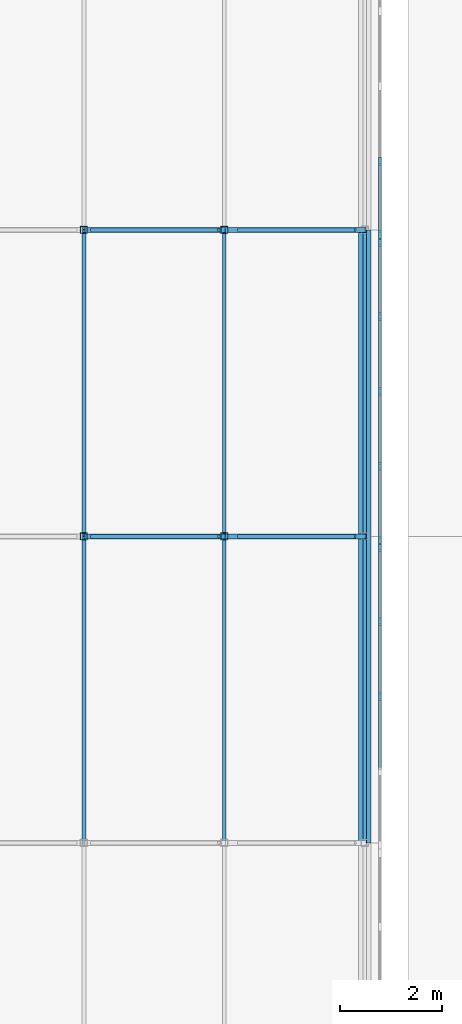
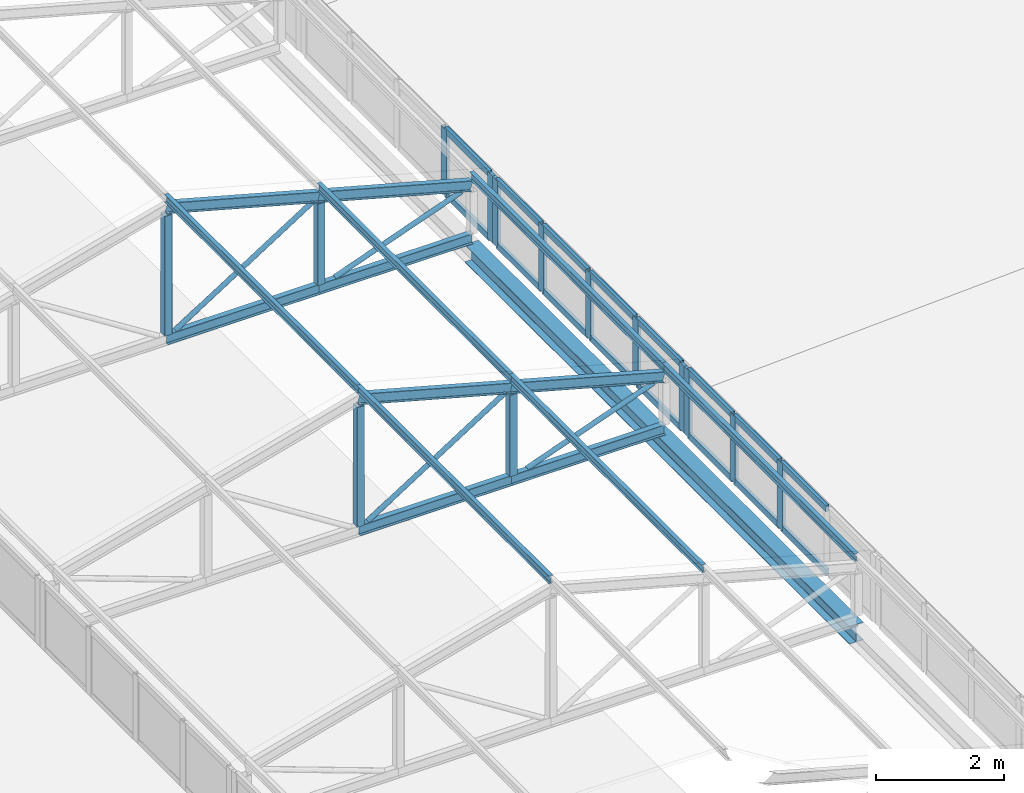
# One storey, part 44 of 94: 48 members, 1 beam, 3 elements without a shape of their own.
"""IFC4 building model written with IfcOpenShell, lengths in metres."""

from ifc_helpers import new_model, si_unit, direction, frame, origin, origin_2d, place, context, subcontext, project, spatial, rectangle, hollow_rectangle, hollow_circle, i_section, extrude, material, layer, layer_set, material_profile, profile_set, type_object, element, aggregate, save


model = new_model("IFC4")

# Units and contexts
model_context = context("Model", 3, precision=1e-05, world=origin(), true_north=direction((0.0, 1.0)))
body_context = subcontext(model_context, "Body", "Model", "MODEL_VIEW")
ifc_project = project(units=[si_unit("LENGTHUNIT", "METRE"), si_unit("AREAUNIT", "SQUARE_METRE"), si_unit("VOLUMEUNIT", "CUBIC_METRE"), si_unit("PLANEANGLEUNIT", "RADIAN"), si_unit("MASSUNIT", "GRAM", prefix="KILO")], contexts=[model_context])

# Site, building, storey
site_placement = place(None, origin())
site = spatial("IfcSite", under=ifc_project, at=site_placement, CompositionType="ELEMENT")
building_placement = place(site_placement, origin())
building = spatial("IfcBuilding", under=site, at=building_placement, Name="Lilac Gate Convention Centre", CompositionType="ELEMENT")
storey_placement = place(building_placement, frame((0.0, 0.0, 21.0)))
storey = spatial("IfcBuildingStorey", under=building, at=storey_placement, Name="L04", CompositionType="ELEMENT", Elevation=21.0)

# Curtain wall, members
ifc_material_1 = material(Name="Aluminium framed double glazing", Category="aluminium")
ifc_layer = layer(ifc_material_1, 0.199951171875)
ifc_layer_set = layer_set([ifc_layer], Name="Aluminium framed double glazing")
curtain_wall_type = type_object("IfcCurtainWallType", Name="Unitised curtain wall 1500", PredefinedType="NOTDEFINED", material=ifc_layer_set)
curtain_wall_1_placement = place(storey_placement, origin())
curtain_wall_1 = element("IfcCurtainWall", 1, at=curtain_wall_1_placement, inside=storey, type_object=curtain_wall_type, Name="Lantern clerestory E 22", PredefinedType="NOTDEFINED")
ifc_material_2 = material(Name="Aluminium alloy 6063", Category="aluminium")
ifc_material_profile_1 = material_profile(ifc_material_2, rectangle(XDim=0.06005859375, YDim=0.159912109375, at=origin_2d()), Name="Curtain wall mullion 60 x 160")
ifc_profile_set_1 = profile_set([ifc_material_profile_1], Name="Aluminium alloy 6063")
member_type_1 = type_object("IfcMemberType", Name="Curtain wall mullion 60 x 160", PredefinedType="MULLION", material=ifc_profile_set_1)
member_1_placement = place(storey_placement, frame((28.89990234375, 158.862548828125, 0.0), z_axis=(0.0, 0.0, 1.0), x_axis=(-1.0, 0.0, 0.0)))
member_1 = element("IfcMember", 2, at=member_1_placement, type_object=member_type_1, Name="CW mullion 3", PredefinedType="MULLION", context=body_context, shape_type="SweptSolid", body=[
    extrude(rectangle(XDim=0.06005859375, YDim=0.159912109375, at=origin_2d()), origin(), (0.0, 0.0, 1.0), 1.272216796875),
])
member_2_placement = place(storey_placement, frame((28.89990234375, 160.331298828125, 0.0), z_axis=(0.0, 0.0, 1.0), x_axis=(-1.0, 0.0, 0.0)))
member_2 = element("IfcMember", 3, at=member_2_placement, type_object=member_type_1, Name="CW mullion 4", PredefinedType="MULLION", context=body_context, shape_type="SweptSolid", body=[
    extrude(rectangle(XDim=0.06005859375, YDim=0.159912109375, at=origin_2d()), origin(), (0.0, 0.0, 1.0), 1.272216796875),
])
member_3_placement = place(storey_placement, frame((28.89990234375, 161.77001953125, 0.0), z_axis=(0.0, 0.0, 1.0), x_axis=(-1.0, 0.0, 0.0)))
member_3 = element("IfcMember", 4, at=member_3_placement, type_object=member_type_1, Name="CW mullion 5", PredefinedType="MULLION", context=body_context, shape_type="SweptSolid", body=[
    extrude(rectangle(XDim=0.06005859375, YDim=0.159912109375, at=origin_2d()), origin(), (0.0, 0.0, 1.0), 1.272216796875),
])

curtain_wall_2_placement = place(storey_placement, origin())
curtain_wall_2 = element("IfcCurtainWall", 5, at=curtain_wall_2_placement, inside=storey, type_object=curtain_wall_type, Name="Lantern clerestory E 23", PredefinedType="NOTDEFINED")
member_4_placement = place(storey_placement, frame((28.89990234375, 161.929931640625, 0.0), z_axis=(0.0, 0.0, 1.0), x_axis=(-1.0, 0.0, 0.0)))
member_4 = element("IfcMember", 6, at=member_4_placement, type_object=member_type_1, Name="CW mullion 1", PredefinedType="MULLION", context=body_context, shape_type="SweptSolid", body=[
    extrude(rectangle(XDim=0.06005859375, YDim=0.159912109375, at=origin_2d()), origin(), (0.0, 0.0, 1.0), 1.272216796875),
])
member_5_placement = place(storey_placement, frame((28.89990234375, 163.36865234375, 0.0), z_axis=(0.0, 0.0, 1.0), x_axis=(-1.0, 0.0, 0.0)))
member_5 = element("IfcMember", 7, at=member_5_placement, type_object=member_type_1, Name="CW mullion 2", PredefinedType="MULLION", context=body_context, shape_type="SweptSolid", body=[
    extrude(rectangle(XDim=0.06005859375, YDim=0.159912109375, at=origin_2d()), origin(), (0.0, 0.0, 1.0), 1.272216796875),
])
member_6_placement = place(storey_placement, frame((28.89990234375, 164.83740234375, 0.0), z_axis=(0.0, 0.0, 1.0), x_axis=(-1.0, 0.0, 0.0)))
member_6 = element("IfcMember", 8, at=member_6_placement, type_object=member_type_1, Name="CW mullion 3", PredefinedType="MULLION", context=body_context, shape_type="SweptSolid", body=[
    extrude(rectangle(XDim=0.06005859375, YDim=0.159912109375, at=origin_2d()), origin(), (0.0, 0.0, 1.0), 1.272216796875),
])
member_7_placement = place(storey_placement, frame((28.89990234375, 166.30615234375, 0.0), z_axis=(0.0, 0.0, 1.0), x_axis=(-1.0, 0.0, 0.0)))
member_7 = element("IfcMember", 9, at=member_7_placement, type_object=member_type_1, Name="CW mullion 4", PredefinedType="MULLION", context=body_context, shape_type="SweptSolid", body=[
    extrude(rectangle(XDim=0.06005859375, YDim=0.159912109375, at=origin_2d()), origin(), (0.0, 0.0, 1.0), 1.272216796875),
])
member_8_placement = place(storey_placement, frame((28.89990234375, 167.744873046875, 0.0), z_axis=(0.0, 0.0, 1.0), x_axis=(-1.0, 0.0, 0.0)))
member_8 = element("IfcMember", 10, at=member_8_placement, type_object=member_type_1, Name="CW mullion 5", PredefinedType="MULLION", context=body_context, shape_type="SweptSolid", body=[
    extrude(rectangle(XDim=0.06005859375, YDim=0.159912109375, at=origin_2d()), origin(), (0.0, 0.0, 1.0), 1.272216796875),
])

curtain_wall_3_placement = place(storey_placement, origin())
curtain_wall_3 = element("IfcCurtainWall", 11, at=curtain_wall_3_placement, inside=storey, type_object=curtain_wall_type, Name="Lantern clerestory E 24", PredefinedType="NOTDEFINED")
member_9_placement = place(storey_placement, frame((28.89990234375, 167.905029296875, 0.0), z_axis=(0.0, 0.0, 1.0), x_axis=(-1.0, 0.0, 0.0)))
member_9 = element("IfcMember", 12, at=member_9_placement, type_object=member_type_1, Name="CW mullion 1", PredefinedType="MULLION", context=body_context, shape_type="SweptSolid", body=[
    extrude(rectangle(XDim=0.06005859375, YDim=0.159912109375, at=origin_2d()), origin(), (0.0, 0.0, 1.0), 1.272216796875),
])
member_10_placement = place(storey_placement, frame((28.89990234375, 169.34375, 0.0), z_axis=(0.0, 0.0, 1.0), x_axis=(-1.0, 0.0, 0.0)))
member_10 = element("IfcMember", 13, at=member_10_placement, type_object=member_type_1, Name="CW mullion 2", PredefinedType="MULLION", context=body_context, shape_type="SweptSolid", body=[
    extrude(rectangle(XDim=0.06005859375, YDim=0.159912109375, at=origin_2d()), origin(), (0.0, 0.0, 1.0), 1.272216796875),
])

# Member
ifc_material_profile_2 = material_profile(ifc_material_2, rectangle(XDim=0.06005859375, YDim=0.1201171875, at=origin_2d()), Name="Curtain wall transom 60 x 120")
ifc_profile_set_2 = profile_set([ifc_material_profile_2], Name="Aluminium alloy 6063")
member_type_2 = type_object("IfcMemberType", Name="Curtain wall transom 60 x 120", PredefinedType="USERDEFINED", material=ifc_profile_set_2)
member_11_placement = place(storey_placement, frame((28.89990234375, 157.423828125, 0.030029296875), z_axis=(0.0, 1.0, 0.0), x_axis=(-1.0, 0.0, 0.0)))
member_11 = element("IfcMember", 14, at=member_11_placement, type_object=member_type_2, Name="CW transom 2.1", ObjectType="TRANSOM", PredefinedType="USERDEFINED", context=body_context, shape_type="SweptSolid", body=[
    extrude(rectangle(XDim=0.06005859375, YDim=0.1201171875, at=origin_2d()), origin(), (0.0, 0.0, 1.0), 1.40869140625),
])

member_12_placement = place(storey_placement, frame((28.89990234375, 157.423828125, 1.2421875), z_axis=(0.0, 1.0, 0.0), x_axis=(-1.0, 0.0, 0.0)))
member_12 = element("IfcMember", 15, at=member_12_placement, type_object=member_type_2, Name="CW transom 2.2", ObjectType="TRANSOM", PredefinedType="USERDEFINED", context=body_context, shape_type="SweptSolid", body=[
    extrude(rectangle(XDim=0.06005859375, YDim=0.1201171875, at=origin_2d()), origin(), (0.0, 0.0, 1.0), 1.40869140625),
])

member_13_placement = place(storey_placement, frame((28.89990234375, 158.892578125, 0.030029296875), z_axis=(0.0, 1.0, 0.0), x_axis=(-1.0, 0.0, 0.0)))
member_13 = element("IfcMember", 16, at=member_13_placement, type_object=member_type_2, Name="CW transom 3.1", ObjectType="TRANSOM", PredefinedType="USERDEFINED", context=body_context, shape_type="SweptSolid", body=[
    extrude(rectangle(XDim=0.06005859375, YDim=0.1201171875, at=origin_2d()), origin(), (0.0, 0.0, 1.0), 1.40869140625),
])

member_14_placement = place(storey_placement, frame((28.89990234375, 158.892578125, 1.2421875), z_axis=(0.0, 1.0, 0.0), x_axis=(-1.0, 0.0, 0.0)))
member_14 = element("IfcMember", 17, at=member_14_placement, type_object=member_type_2, Name="CW transom 3.2", ObjectType="TRANSOM", PredefinedType="USERDEFINED", context=body_context, shape_type="SweptSolid", body=[
    extrude(rectangle(XDim=0.06005859375, YDim=0.1201171875, at=origin_2d()), origin(), (0.0, 0.0, 1.0), 1.40869140625),
])

member_15_placement = place(storey_placement, frame((28.89990234375, 160.361328125, 0.030029296875), z_axis=(0.0, 1.0, 0.0), x_axis=(-1.0, 0.0, 0.0)))
member_15 = element("IfcMember", 18, at=member_15_placement, type_object=member_type_2, Name="CW transom 4.1", ObjectType="TRANSOM", PredefinedType="USERDEFINED", context=body_context, shape_type="SweptSolid", body=[
    extrude(rectangle(XDim=0.06005859375, YDim=0.1201171875, at=origin_2d()), origin(), (0.0, 0.0, 1.0), 1.378662109375),
])

member_16_placement = place(storey_placement, frame((28.89990234375, 160.361328125, 1.2421875), z_axis=(0.0, 1.0, 0.0), x_axis=(-1.0, 0.0, 0.0)))
member_16 = element("IfcMember", 19, at=member_16_placement, type_object=member_type_2, Name="CW transom 4.2", ObjectType="TRANSOM", PredefinedType="USERDEFINED", context=body_context, shape_type="SweptSolid", body=[
    extrude(rectangle(XDim=0.06005859375, YDim=0.1201171875, at=origin_2d()), origin(), (0.0, 0.0, 1.0), 1.378662109375),
])

aggregate(curtain_wall_1, [member_1, member_2, member_3, member_11, member_12, member_13, member_14, member_15, member_16])

member_17_placement = place(storey_placement, frame((28.89990234375, 161.9599609375, 0.030029296875), z_axis=(0.0, 1.0, 0.0), x_axis=(-1.0, 0.0, 0.0)))
member_17 = element("IfcMember", 20, at=member_17_placement, type_object=member_type_2, Name="CW transom 1.1", ObjectType="TRANSOM", PredefinedType="USERDEFINED", context=body_context, shape_type="SweptSolid", body=[
    extrude(rectangle(XDim=0.06005859375, YDim=0.1201171875, at=origin_2d()), origin(), (0.0, 0.0, 1.0), 1.378662109375),
])

member_18_placement = place(storey_placement, frame((28.89990234375, 161.9599609375, 1.2421875), z_axis=(0.0, 1.0, 0.0), x_axis=(-1.0, 0.0, 0.0)))
member_18 = element("IfcMember", 21, at=member_18_placement, type_object=member_type_2, Name="CW transom 1.2", ObjectType="TRANSOM", PredefinedType="USERDEFINED", context=body_context, shape_type="SweptSolid", body=[
    extrude(rectangle(XDim=0.06005859375, YDim=0.1201171875, at=origin_2d()), origin(), (0.0, 0.0, 1.0), 1.378662109375),
])

member_19_placement = place(storey_placement, frame((28.89990234375, 163.398681640625, 0.030029296875), z_axis=(0.0, 1.0, 0.0), x_axis=(-1.0, 0.0, 0.0)))
member_19 = element("IfcMember", 22, at=member_19_placement, type_object=member_type_2, Name="CW transom 2.1", ObjectType="TRANSOM", PredefinedType="USERDEFINED", context=body_context, shape_type="SweptSolid", body=[
    extrude(rectangle(XDim=0.06005859375, YDim=0.1201171875, at=origin_2d()), origin(), (0.0, 0.0, 1.0), 1.40869140625),
])

member_20_placement = place(storey_placement, frame((28.89990234375, 163.398681640625, 1.2421875), z_axis=(0.0, 1.0, 0.0), x_axis=(-1.0, 0.0, 0.0)))
member_20 = element("IfcMember", 23, at=member_20_placement, type_object=member_type_2, Name="CW transom 2.2", ObjectType="TRANSOM", PredefinedType="USERDEFINED", context=body_context, shape_type="SweptSolid", body=[
    extrude(rectangle(XDim=0.06005859375, YDim=0.1201171875, at=origin_2d()), origin(), (0.0, 0.0, 1.0), 1.40869140625),
])

member_21_placement = place(storey_placement, frame((28.89990234375, 164.867431640625, 0.030029296875), z_axis=(0.0, 1.0, 0.0), x_axis=(-1.0, 0.0, 0.0)))
member_21 = element("IfcMember", 24, at=member_21_placement, type_object=member_type_2, Name="CW transom 3.1", ObjectType="TRANSOM", PredefinedType="USERDEFINED", context=body_context, shape_type="SweptSolid", body=[
    extrude(rectangle(XDim=0.06005859375, YDim=0.1201171875, at=origin_2d()), origin(), (0.0, 0.0, 1.0), 1.40869140625),
])

member_22_placement = place(storey_placement, frame((28.89990234375, 164.867431640625, 1.2421875), z_axis=(0.0, 1.0, 0.0), x_axis=(-1.0, 0.0, 0.0)))
member_22 = element("IfcMember", 25, at=member_22_placement, type_object=member_type_2, Name="CW transom 3.2", ObjectType="TRANSOM", PredefinedType="USERDEFINED", context=body_context, shape_type="SweptSolid", body=[
    extrude(rectangle(XDim=0.06005859375, YDim=0.1201171875, at=origin_2d()), origin(), (0.0, 0.0, 1.0), 1.40869140625),
])

member_23_placement = place(storey_placement, frame((28.89990234375, 166.336181640625, 0.030029296875), z_axis=(0.0, 1.0, 0.0), x_axis=(-1.0, 0.0, 0.0)))
member_23 = element("IfcMember", 26, at=member_23_placement, type_object=member_type_2, Name="CW transom 4.1", ObjectType="TRANSOM", PredefinedType="USERDEFINED", context=body_context, shape_type="SweptSolid", body=[
    extrude(rectangle(XDim=0.06005859375, YDim=0.1201171875, at=origin_2d()), origin(), (0.0, 0.0, 1.0), 1.378662109375),
])

member_24_placement = place(storey_placement, frame((28.89990234375, 166.336181640625, 1.2421875), z_axis=(0.0, 1.0, 0.0), x_axis=(-1.0, 0.0, 0.0)))
member_24 = element("IfcMember", 27, at=member_24_placement, type_object=member_type_2, Name="CW transom 4.2", ObjectType="TRANSOM", PredefinedType="USERDEFINED", context=body_context, shape_type="SweptSolid", body=[
    extrude(rectangle(XDim=0.06005859375, YDim=0.1201171875, at=origin_2d()), origin(), (0.0, 0.0, 1.0), 1.378662109375),
])

aggregate(curtain_wall_2, [member_4, member_5, member_6, member_7, member_8, member_17, member_18, member_19, member_20, member_21, member_22, member_23, member_24])

member_25_placement = place(storey_placement, frame((28.89990234375, 167.93505859375, 0.030029296875), z_axis=(0.0, 1.0, 0.0), x_axis=(-1.0, 0.0, 0.0)))
member_25 = element("IfcMember", 28, at=member_25_placement, type_object=member_type_2, Name="CW transom 1.1", ObjectType="TRANSOM", PredefinedType="USERDEFINED", context=body_context, shape_type="SweptSolid", body=[
    extrude(rectangle(XDim=0.06005859375, YDim=0.1201171875, at=origin_2d()), origin(), (0.0, 0.0, 1.0), 1.378662109375),
])

member_26_placement = place(storey_placement, frame((28.89990234375, 167.93505859375, 1.2421875), z_axis=(0.0, 1.0, 0.0), x_axis=(-1.0, 0.0, 0.0)))
member_26 = element("IfcMember", 29, at=member_26_placement, type_object=member_type_2, Name="CW transom 1.2", ObjectType="TRANSOM", PredefinedType="USERDEFINED", context=body_context, shape_type="SweptSolid", body=[
    extrude(rectangle(XDim=0.06005859375, YDim=0.1201171875, at=origin_2d()), origin(), (0.0, 0.0, 1.0), 1.378662109375),
])

aggregate(curtain_wall_3, [member_9, member_10, member_25, member_26])

# Members
ifc_material_3 = material(Name="Steel Q355B", Category="steel")
ifc_material_profile_3 = material_profile(ifc_material_3, i_section(OverallWidth=0.10009765625, OverallDepth=0.199951171875, WebThickness=0.005615234375, FlangeThickness=0.008056640625, FilletRadius=0.008056640625, at=origin_2d()), Name="HN200x100x5.5x8")
ifc_profile_set_3 = profile_set([ifc_material_profile_3], Name="Steel Q355B")
member_type_3 = type_object("IfcMemberType", Name="Lantern bottom chord HN200x100x5.5x8", PredefinedType="CHORD", material=ifc_profile_set_3)
for number, where, z_axis, x_axis, name in (
    (30, (23.10009765625, 162.0, 0.10009765625), (1.0, 0.0, 0.0), (0.0, 1.0, 0.0), "LB1 lantern truss 23 bottom chord 3"),
    (31, (25.85009765625, 162.0, 0.10009765625), (1.0, 0.0, 0.0), (0.0, 1.0, 0.0), "LB1 lantern truss 23 bottom chord 4"),
    (32, (23.10009765625, 168.0, 0.10009765625), (1.0, 0.0, 0.0), (0.0, 1.0, 0.0), "LB1 lantern truss 24 bottom chord 3"),
    (33, (25.85009765625, 168.0, 0.10009765625), (1.0, 0.0, 0.0), (0.0, 1.0, 0.0), "LB1 lantern truss 24 bottom chord 4"),
):
    element("IfcMember", number, at=place(storey_placement, frame(where, z_axis=z_axis, x_axis=x_axis)), inside=storey, type_object=member_type_3, Name=name, PredefinedType="CHORD", context=body_context, shape_type="SweptSolid", body=[
        extrude(i_section(OverallWidth=0.10009765625, OverallDepth=0.199951171875, WebThickness=0.005615234375, FlangeThickness=0.008056640625, FilletRadius=0.008056640625, at=origin_2d()), origin(), (0.0, 0.0, 1.0), 2.75),
    ])
ifc_material_profile_4 = material_profile(ifc_material_3, hollow_circle(Radius=0.04443359375, WallThickness=0.0048828125, at=origin_2d()), Name="CHS88.9x5")
ifc_profile_set_4 = profile_set([ifc_material_profile_4], Name="Steel Q355B")
member_type_4 = type_object("IfcMemberType", Name="Lantern diagonal CHS88.9x5", PredefinedType="BRACE", material=ifc_profile_set_4)
member_27_placement = place(storey_placement, frame((25.74169921875, 162.0, 1.781005859375), z_axis=(-0.843671728148, 0.0, -0.536859399773), x_axis=(0.0, -1.0, 0.0)))
element("IfcMember", 34, at=member_27_placement, inside=storey, type_object=member_type_4, Name="LW1 lantern truss 23 diagonal 3", PredefinedType="BRACE", context=body_context, shape_type="SweptSolid", body=[
    extrude(hollow_circle(Radius=0.04443359375, WallThickness=0.0048828125, at=origin_2d()), origin(), (0.0, 0.0, 1.0), 2.945068359375),
])
member_28_placement = place(storey_placement, frame((28.410400390625, 162.0, 1.031005859375), z_axis=(-0.939793423488, 0.0, -0.341743063087), x_axis=(0.0, -1.0, 0.0)))
element("IfcMember", 35, at=member_28_placement, inside=storey, type_object=member_type_4, Name="LW1 lantern truss 23 diagonal 4", PredefinedType="BRACE", context=body_context, shape_type="SweptSolid", body=[
    extrude(hollow_circle(Radius=0.04443359375, WallThickness=0.0048828125, at=origin_2d()), origin(), (0.0, 0.0, 1.0), 2.431884765625),
])
member_29_placement = place(storey_placement, frame((25.74169921875, 168.0, 1.781005859375), z_axis=(-0.843671728148, 0.0, -0.536859399773), x_axis=(0.0, -1.0, 0.0)))
element("IfcMember", 36, at=member_29_placement, inside=storey, type_object=member_type_4, Name="LW1 lantern truss 24 diagonal 3", PredefinedType="BRACE", context=body_context, shape_type="SweptSolid", body=[
    extrude(hollow_circle(Radius=0.04443359375, WallThickness=0.0048828125, at=origin_2d()), origin(), (0.0, 0.0, 1.0), 2.945068359375),
])
member_30_placement = place(storey_placement, frame((28.410400390625, 168.0, 1.031005859375), z_axis=(-0.939793423488, 0.0, -0.341743063087), x_axis=(0.0, -1.0, 0.0)))
element("IfcMember", 37, at=member_30_placement, inside=storey, type_object=member_type_4, Name="LW1 lantern truss 24 diagonal 4", PredefinedType="BRACE", context=body_context, shape_type="SweptSolid", body=[
    extrude(hollow_circle(Radius=0.04443359375, WallThickness=0.0048828125, at=origin_2d()), origin(), (0.0, 0.0, 1.0), 2.431884765625),
])
ifc_material_profile_5 = material_profile(ifc_material_3, hollow_rectangle(XDim=0.139892578125, YDim=0.139892578125, WallThickness=0.0048828125, InnerFilletRadius=0.0048828125, OuterFilletRadius=0.010009765625, at=origin_2d()), Name="SHS140x140x5")
ifc_profile_set_5 = profile_set([ifc_material_profile_5], Name="Steel Q355B")
member_type_5 = type_object("IfcMemberType", Name="Lantern post SHS140x140x5", PredefinedType="STRUT", material=ifc_profile_set_5)
member_31_placement = place(storey_placement, frame((23.10009765625, 162.0, 0.199951171875), z_axis=(0.0, 0.0, 1.0), x_axis=(1.0, 0.0, 0.0)))
element("IfcMember", 38, at=member_31_placement, inside=storey, type_object=member_type_5, Name="LV1 lantern truss 23 post 3", PredefinedType="STRUT", context=body_context, shape_type="SweptSolid", body=[
    extrude(hollow_rectangle(XDim=0.139892578125, YDim=0.139892578125, WallThickness=0.0048828125, InnerFilletRadius=0.0048828125, OuterFilletRadius=0.010009765625, at=origin_2d()), origin(), (0.0, 0.0, 1.0), 2.277099609375),
])
member_32_placement = place(storey_placement, frame((25.85009765625, 162.0, 0.199951171875), z_axis=(0.0, 0.0, 1.0), x_axis=(1.0, 0.0, 0.0)))
element("IfcMember", 39, at=member_32_placement, inside=storey, type_object=member_type_5, Name="LV1 lantern truss 23 post 4", PredefinedType="STRUT", context=body_context, shape_type="SweptSolid", body=[
    extrude(hollow_rectangle(XDim=0.139892578125, YDim=0.139892578125, WallThickness=0.0048828125, InnerFilletRadius=0.0048828125, OuterFilletRadius=0.010009765625, at=origin_2d()), origin(), (0.0, 0.0, 1.0), 1.546142578125),
])
member_33_placement = place(storey_placement, frame((23.10009765625, 168.0, 0.199951171875), z_axis=(0.0, 0.0, 1.0), x_axis=(1.0, 0.0, 0.0)))
element("IfcMember", 40, at=member_33_placement, inside=storey, type_object=member_type_5, Name="LV1 lantern truss 24 post 3", PredefinedType="STRUT", context=body_context, shape_type="SweptSolid", body=[
    extrude(hollow_rectangle(XDim=0.139892578125, YDim=0.139892578125, WallThickness=0.0048828125, InnerFilletRadius=0.0048828125, OuterFilletRadius=0.010009765625, at=origin_2d()), origin(), (0.0, 0.0, 1.0), 2.277099609375),
])
member_34_placement = place(storey_placement, frame((25.85009765625, 168.0, 0.199951171875), z_axis=(0.0, 0.0, 1.0), x_axis=(1.0, 0.0, 0.0)))
element("IfcMember", 41, at=member_34_placement, inside=storey, type_object=member_type_5, Name="LV1 lantern truss 24 post 4", PredefinedType="STRUT", context=body_context, shape_type="SweptSolid", body=[
    extrude(hollow_rectangle(XDim=0.139892578125, YDim=0.139892578125, WallThickness=0.0048828125, InnerFilletRadius=0.0048828125, OuterFilletRadius=0.010009765625, at=origin_2d()), origin(), (0.0, 0.0, 1.0), 1.546142578125),
])
ifc_material_profile_6 = material_profile(ifc_material_3, i_section(OverallWidth=0.074951171875, OverallDepth=0.14990234375, WebThickness=0.0048828125, FlangeThickness=0.007080078125, FilletRadius=0.008056640625, at=origin_2d()), Name="HN150x75x5x7")
ifc_profile_set_6 = profile_set([ifc_material_profile_6], Name="Steel Q355B")
member_type_6 = type_object("IfcMemberType", Name="Lantern purlin HN150x75x5x7", PredefinedType="PURLIN", material=ifc_profile_set_6)
for number, where, z_axis, x_axis, name in (
    (42, (23.10009765625, 156.0, 2.779052734375), (0.0, 1.0, 0.0), (-1.0, 0.0, 0.0), "LP1 lantern purlin bay 22 line 3"),
    (43, (23.10009765625, 162.0, 2.779052734375), (0.0, 1.0, 0.0), (-1.0, 0.0, 0.0), "LP1 lantern purlin bay 23 line 3"),
    (44, (25.85009765625, 156.0, 2.029052734375), (0.0, 1.0, 0.0), (-1.0, 0.0, 0.0), "LP1 lantern purlin bay 22 line 4"),
    (45, (25.85009765625, 162.0, 2.029052734375), (0.0, 1.0, 0.0), (-1.0, 0.0, 0.0), "LP1 lantern purlin bay 23 line 4"),
    (46, (28.60009765625, 156.0, 1.279052734375), (0.0, 1.0, 0.0), (-1.0, 0.0, 0.0), "LP1 lantern purlin bay 22 line 5"),
    (47, (28.60009765625, 162.0, 1.279052734375), (0.0, 1.0, 0.0), (-1.0, 0.0, 0.0), "LP1 lantern purlin bay 23 line 5"),
):
    element("IfcMember", number, at=place(storey_placement, frame(where, z_axis=z_axis, x_axis=x_axis)), inside=storey, type_object=member_type_6, Name=name, PredefinedType="PURLIN", context=body_context, shape_type="SweptSolid", body=[
        extrude(i_section(OverallWidth=0.074951171875, OverallDepth=0.14990234375, WebThickness=0.0048828125, FlangeThickness=0.007080078125, FilletRadius=0.008056640625, at=origin_2d()), origin(), (0.0, 0.0, 1.0), 6.0),
    ])
ifc_material_profile_7 = material_profile(ifc_material_3, i_section(OverallWidth=0.10009765625, OverallDepth=0.199951171875, WebThickness=0.005615234375, FlangeThickness=0.008056640625, FilletRadius=0.008056640625, at=origin_2d()), Name="HN200x100x5.5x8")
ifc_profile_set_7 = profile_set([ifc_material_profile_7], Name="Steel Q355B")
member_type_7 = type_object("IfcMemberType", Name="Lantern top chord HN200x100x5.5x8", PredefinedType="CHORD", material=ifc_profile_set_7)
for number, where, z_axis, x_axis, name in (
    (48, (23.10009765625, 162.0, 2.60009765625), (0.964763821238, 0.0, -0.263117405792), (0.0, 1.0, 0.0), "LT1 lantern truss 23 top chord 3"),
    (49, (25.85009765625, 162.0, 1.85009765625), (0.964763821238, 0.0, -0.263117405792), (0.0, 1.0, 0.0), "LT1 lantern truss 23 top chord 4"),
    (50, (23.10009765625, 168.0, 2.60009765625), (0.964763821238, 0.0, -0.263117405792), (0.0, 1.0, 0.0), "LT1 lantern truss 24 top chord 3"),
    (51, (25.85009765625, 168.0, 1.85009765625), (0.964763821238, 0.0, -0.263117405792), (0.0, 1.0, 0.0), "LT1 lantern truss 24 top chord 4"),
):
    element("IfcMember", number, at=place(storey_placement, frame(where, z_axis=z_axis, x_axis=x_axis)), inside=storey, type_object=member_type_7, Name=name, PredefinedType="CHORD", context=body_context, shape_type="SweptSolid", body=[
        extrude(i_section(OverallWidth=0.10009765625, OverallDepth=0.199951171875, WebThickness=0.005615234375, FlangeThickness=0.008056640625, FilletRadius=0.008056640625, at=origin_2d()), origin(), (0.0, 0.0, 1.0), 2.850341796875),
    ])

# Beam
ifc_material_profile_8 = material_profile(ifc_material_3, i_section(OverallWidth=0.25, OverallDepth=0.340087890625, WebThickness=0.009033203125, FlangeThickness=0.013916015625, FilletRadius=0.012939453125, at=origin_2d()), Name="HM340x250x9x14")
ifc_profile_set_8 = profile_set([ifc_material_profile_8], Name="Steel Q355B")
beam_type = type_object("IfcBeamType", Name="Steel edge beam HM340x250x9x14", PredefinedType="BEAM", material=ifc_profile_set_8)
beam_placement = place(storey_placement, frame((28.60009765625, 156.0, -0.169921875), z_axis=(0.0, 1.0, 0.0), x_axis=(-1.0, 0.0, 0.0)))
element("IfcBeam", 52, at=beam_placement, inside=storey, type_object=beam_type, Name="LE1 lantern edge beam 12", PredefinedType="BEAM", context=body_context, shape_type="SweptSolid", body=[
    extrude(i_section(OverallWidth=0.25, OverallDepth=0.340087890625, WebThickness=0.009033203125, FlangeThickness=0.013916015625, FilletRadius=0.012939453125, at=origin_2d()), origin(), (0.0, 0.0, 1.0), 12.0),
])

save(model, "model.ifc")
